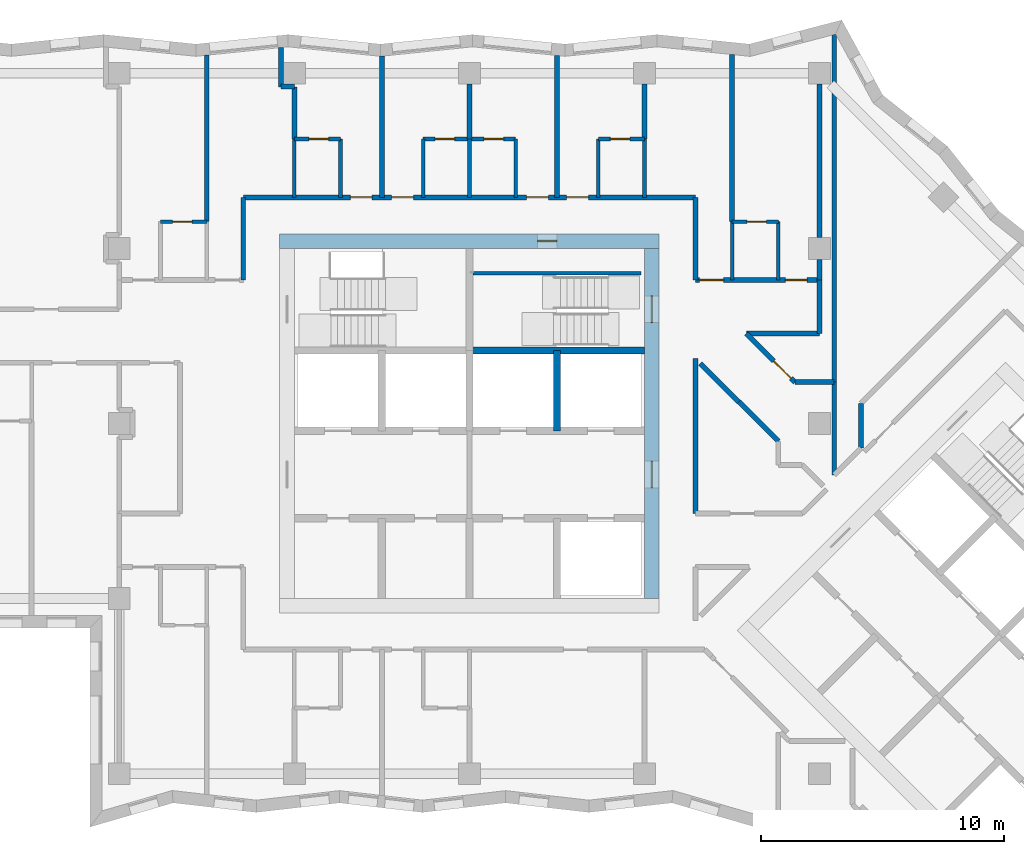
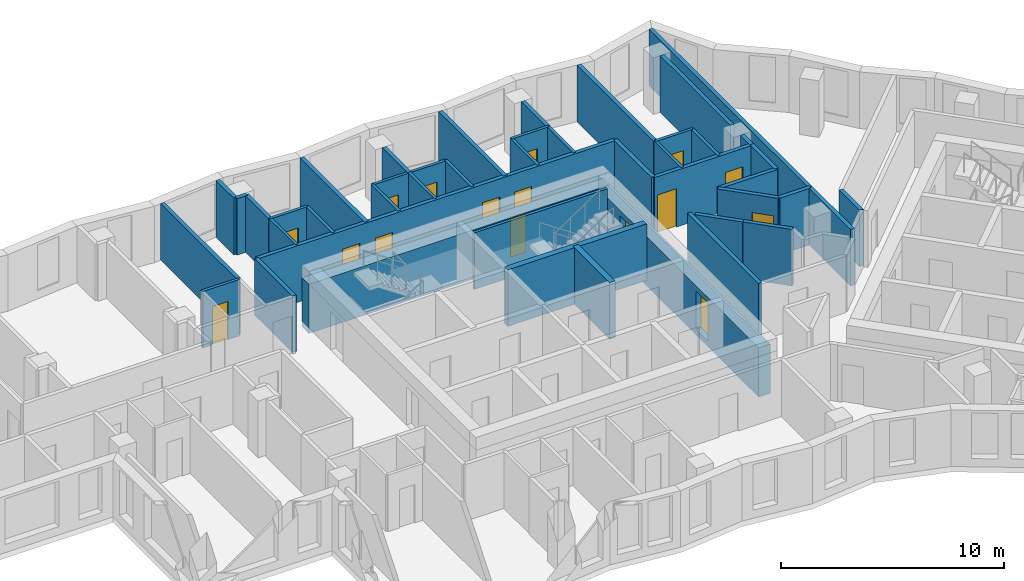
# One storey, part 6 of 12: 44 walls, 16 doors, 16 openings.
"""IFC4 building model written with IfcOpenShell, lengths in metres."""

import ifcopenshell
import ifcopenshell.guid

model = None  # the IFC model being written
_history = None  # IfcOwnerHistory: only IFC2X3 demands one
_inside = {}  # id of a spatial element -> (the spatial element, [elements in it])
_under = {}  # id of a project, library or spatial element -> (it, [spatial elements below it])
_declared = {}  # id of a project -> (the project, [libraries it declares])
_typed = {}  # id of a type object -> (the type object, [elements of that type])
_made_of = {}  # id of a material, layer set ... -> (it, [elements and type objects made of it])


def new_model(schema):
    """Start an empty IFC model of exactly this schema.

    Asked for "IFC4X3", IfcOpenShell would pick the latest addendum, in which some entities
    have other attributes; the version numbers below select the first issue.
    IFC2X3 requires an IfcOwnerHistory on every rooted entity: one is made here for all.
    """
    global model, _history
    if schema == "IFC4X3":
        model = ifcopenshell.file(schema_version=(4, 3, 0, 0))
    else:
        model = ifcopenshell.file(schema=schema)
    _inside.clear()
    _under.clear()
    _declared.clear()
    _typed.clear()
    _made_of.clear()
    _history = None
    if model.schema == "IFC2X3":
        org = make("IfcOrganization", Name="unknown")
        user = make(
            "IfcPersonAndOrganization",
            ThePerson=make("IfcPerson", FamilyName="unknown"),
            TheOrganization=org,
        )
        app = make(
            "IfcApplication",
            ApplicationDeveloper=org,
            Version="unknown",
            ApplicationFullName="unknown",
            ApplicationIdentifier="unknown",
        )
        _history = make(
            "IfcOwnerHistory",
            OwningUser=user,
            OwningApplication=app,
            ChangeAction="ADDED",
            CreationDate=0,
        )
    return model


def make(cls, **values):
    """One entity of the class cls with the attributes given. An attribute that is None is left unset."""
    return model.create_entity(
        cls, **{name: value for name, value in values.items() if value is not None}
    )


def rooted(cls, **values):
    """An entity with a GlobalId (a new one), such as an element, a storey or a relation."""
    return make(cls, GlobalId=ifcopenshell.guid.new(), OwnerHistory=_history, **values)


def si_unit(unit_type, name, prefix=None):
    """IfcSIUnit, for example si_unit("LENGTHUNIT", "METRE", prefix="MILLI")."""
    return make("IfcSIUnit", UnitType=unit_type, Prefix=prefix, Name=name)


def assignment(units):
    """IfcUnitAssignment: the units of a project."""
    return None if units is None else make("IfcUnitAssignment", Units=units)


def point(xyz):
    """IfcCartesianPoint."""
    return None if xyz is None else make("IfcCartesianPoint", Coordinates=xyz)


def direction(xyz):
    """IfcDirection."""
    return None if xyz is None else make("IfcDirection", DirectionRatios=xyz)


def frame(location, z_axis=None, x_axis=None):
    """IfcAxis2Placement3D, a coordinate frame: its origin and axes. An axis left out is left unset."""
    return make(
        "IfcAxis2Placement3D",
        Location=point(location),
        Axis=direction(z_axis),
        RefDirection=direction(x_axis),
    )


def frame_2d(location, x_axis=None):
    """IfcAxis2Placement2D, a coordinate frame in the plane: its origin and x axis."""
    return make(
        "IfcAxis2Placement2D", Location=point(location), RefDirection=direction(x_axis)
    )


def origin():
    """The frame at (0, 0, 0) with its axes left unset."""
    return frame((0.0, 0.0, 0.0))


def place(relative_to, where):
    """IfcLocalPlacement: puts the frame where relative to a parent placement (None: the world)."""
    return make(
        "IfcLocalPlacement", PlacementRelTo=relative_to, RelativePlacement=where
    )


def context(
    kind, dimensions, precision=None, world=None, true_north=None, identifier=None
):
    """IfcGeometricRepresentationContext, for example the 3D "Model" context."""
    return make(
        "IfcGeometricRepresentationContext",
        ContextIdentifier=identifier,
        ContextType=kind,
        CoordinateSpaceDimension=dimensions,
        Precision=precision,
        WorldCoordinateSystem=world,
        TrueNorth=true_north,
    )


def subcontext(parent, identifier, kind, view, scale=None):
    """IfcGeometricRepresentationSubContext, for example "Body" below "Model"."""
    return make(
        "IfcGeometricRepresentationSubContext",
        ContextIdentifier=identifier,
        ContextType=kind,
        ParentContext=parent,
        TargetScale=scale,
        TargetView=view,
    )


def project(units=None, contexts=None):
    """IfcProject with its units and contexts."""
    return rooted(
        "IfcProject",
        Name="project",
        RepresentationContexts=contexts,
        UnitsInContext=assignment(units),
    )


def spatial(cls, under=None, at=None, **own):
    """A site, building, storey or space (cls), placed at a placement, below another one or the project."""
    s = rooted(cls, ObjectPlacement=at, **own)
    if under is not None:
        _under.setdefault(under.id(), (under, []))[1].append(s)
    return s


def profile(cls, at=None, kind="AREA", **sizes):
    """A parametric profile (cls). Its sizes go by their IFC names, for example OverallWidth=200.0."""
    return make(cls, ProfileType=kind, Position=at, **sizes)


def rectangle(**sizes):
    """IfcRectangleProfileDef."""
    return profile("IfcRectangleProfileDef", **sizes)


def extrude(swept, where, along, depth):
    """IfcExtrudedAreaSolid: the profile swept, set in the frame where, extruded along a direction by depth."""
    return make(
        "IfcExtrudedAreaSolid",
        SweptArea=swept,
        Position=where,
        ExtrudedDirection=direction(along),
        Depth=depth,
    )


def shape(context_of_items, identifier, shape_type, items):
    """IfcShapeRepresentation: the items that make up one representation, for example the "Body"."""
    return make(
        "IfcShapeRepresentation",
        ContextOfItems=context_of_items,
        RepresentationIdentifier=identifier,
        RepresentationType=shape_type,
        Items=items,
    )


def material(Name=None, Category=None):
    """IfcMaterial."""
    return make("IfcMaterial", Name=Name, Category=Category)


def layer(
    of_material, thickness, ventilated=None, Name=None, Category=None, Priority=None
):
    """IfcMaterialLayer: one layer of a wall or slab, of a material (None: an air gap)."""
    return make(
        "IfcMaterialLayer",
        Material=of_material,
        LayerThickness=thickness,
        IsVentilated=ventilated,
        Name=Name,
        Category=Category,
        Priority=Priority,
    )


def layer_set(layers, Name=None):
    """IfcMaterialLayerSet."""
    return make("IfcMaterialLayerSet", MaterialLayers=layers, LayerSetName=Name)


def made_of(thing, what):
    """Note that an element or type object is made of a material, layer set ...; save() writes the relation."""
    if what is not None:
        _made_of.setdefault(what.id(), (what, []))[1].append(thing)
    return thing


def type_object(cls, material=None, **own):
    """A type object (cls), such as IfcWallType, which elements share."""
    return made_of(rooted(cls, **own), material)


def element(
    cls,
    number,
    at=None,
    inside=None,
    cuts=None,
    type_object=None,
    material=None,
    context=None,
    identifier="Body",
    shape_type=None,
    held_by="IfcProductDefinitionShape",
    body=None,
    shapes=None,
    **own,
):
    """One element of the class cls, such as IfcWall. Its Tag is "e" and its number.

    at: its placement. inside: the storey or other place that contains it. cuts: it is an
    opening in that element (IfcRelVoidsElement). A single representation is given by context,
    identifier, shape_type and body (its items); several are given by shapes. held_by: the class
    of the entity that holds the representations. save() writes the other relations.
    """
    e = rooted(cls, Tag="e%d" % number, ObjectPlacement=at, **own)
    if body is not None:
        shapes = [shape(context, identifier, shape_type, body)]
    if shapes is not None:
        e.Representation = make(held_by, Representations=shapes)
    if inside is not None:
        _inside.setdefault(inside.id(), (inside, []))[1].append(e)
    if cuts is not None:
        rooted(
            "IfcRelVoidsElement", RelatingBuildingElement=cuts, RelatedOpeningElement=e
        )
    if type_object is not None:
        _typed.setdefault(type_object.id(), (type_object, []))[1].append(e)
    return made_of(e, material)


def fill(opening, filler):
    """IfcRelFillsElement: the door or window that sits in an opening."""
    return rooted(
        "IfcRelFillsElement",
        RelatingOpeningElement=opening,
        RelatedBuildingElement=filler,
    )


def aggregate(whole, parts):
    """IfcRelAggregates: a whole, such as a stair, and the parts it consists of."""
    return rooted("IfcRelAggregates", RelatingObject=whole, RelatedObjects=parts)


def save(model, path):
    """Write the relations noted so far, then the file.

    IfcRelAggregates (storeys below a building ...), IfcRelContainedInSpatialStructure (elements
    in a storey), IfcRelDefinesByType, IfcRelAssociatesMaterial and IfcRelDeclares: one each for
    every whole, place, type object, material and project.
    """
    for whole, parts in _under.values():
        aggregate(whole, parts)
    for where, things in _inside.values():
        rooted(
            "IfcRelContainedInSpatialStructure",
            RelatedElements=things,
            RelatingStructure=where,
        )
    for kind, things in _typed.values():
        rooted("IfcRelDefinesByType", RelatedObjects=things, RelatingType=kind)
    for what, things in _made_of.values():
        rooted("IfcRelAssociatesMaterial", RelatedObjects=things, RelatingMaterial=what)
    for by, libraries in _declared.values():
        rooted("IfcRelDeclares", RelatingContext=by, RelatedDefinitions=libraries)
    model.write(path)


model = new_model("IFC4")

# Units and contexts
model_context = context("Model", 3, precision=1e-05, world=origin(), true_north=direction((0.0, 1.0)))
body_context = subcontext(model_context, "Body", "Model", "MODEL_VIEW")
ifc_project = project(units=[si_unit("LENGTHUNIT", "METRE"), si_unit("AREAUNIT", "SQUARE_METRE"), si_unit("VOLUMEUNIT", "CUBIC_METRE"), si_unit("PLANEANGLEUNIT", "RADIAN"), si_unit("MASSUNIT", "GRAM", prefix="KILO")], contexts=[model_context])

# Site, building, storey
site_placement = place(None, origin())
site = spatial("IfcSite", under=ifc_project, at=site_placement, CompositionType="ELEMENT")
building_placement = place(site_placement, origin())
building = spatial("IfcBuilding", under=site, at=building_placement, Name="Windrow Commons", CompositionType="ELEMENT")
storey_placement = place(building_placement, frame((0.0, 0.0, 145.6)))
storey = spatial("IfcBuildingStorey", under=building, at=storey_placement, Name="L39", CompositionType="ELEMENT", Elevation=145.6)

# Wall, openings, doors
ifc_material_1 = material(Name="Blockwork partition", Category="masonry")
ifc_layer_1 = layer(ifc_material_1, 0.2)
ifc_layer_set_1 = layer_set([ifc_layer_1], Name="IW-CORRIDOR-200")
wall_type_1 = type_object("IfcWallType", Name="IW-CORRIDOR-200", PredefinedType="PARTITIONING", material=ifc_layer_set_1)
wall_1_placement = place(storey_placement, frame((55.5, 66.9, 0.0), z_axis=(0.0, 0.0, 1.0), x_axis=(1.0, 0.0, 0.0)))
wall_1 = element("IfcWall", 1, at=wall_1_placement, inside=storey, type_object=wall_type_1, Name="W-L39-W002", PredefinedType="PARTITIONING", context=body_context, shape_type="SweptSolid", body=[
    extrude(rectangle(XDim=18.6, YDim=0.2, at=frame_2d((9.3, 0.0))), origin(), (0.0, 0.0, 1.0), 3.1),
])
opening_1_placement = place(wall_1_placement, frame((4.4, 0.0, 0.0)))
opening_1 = element("IfcOpeningElement", 2, at=opening_1_placement, cuts=wall_1, Name="Opening D109S", PredefinedType="OPENING", context=body_context, shape_type="SweptSolid", body=[
    extrude(rectangle(XDim=0.9, YDim=2.1, at=frame_2d((0.45, 1.05))), frame((0.0, 0.11, 0.0), z_axis=(0.0, -1.0, 0.0), x_axis=(1.0, 0.0, 0.0)), (0.0, 0.0, 1.0), 0.22),
])
opening_2_placement = place(wall_1_placement, frame((6.1, 0.0, 0.0)))
opening_2 = element("IfcOpeningElement", 3, at=opening_2_placement, cuts=wall_1, Name="Opening D109S", PredefinedType="OPENING", context=body_context, shape_type="SweptSolid", body=[
    extrude(rectangle(XDim=0.9, YDim=2.1, at=frame_2d((0.45, 1.05))), frame((0.0, 0.11, 0.0), z_axis=(0.0, -1.0, 0.0), x_axis=(1.0, 0.0, 0.0)), (0.0, 0.0, 1.0), 0.22),
])
opening_3_placement = place(wall_1_placement, frame((11.65, 0.0, 0.0)))
opening_3 = element("IfcOpeningElement", 4, at=opening_3_placement, cuts=wall_1, Name="Opening D109S", PredefinedType="OPENING", context=body_context, shape_type="SweptSolid", body=[
    extrude(rectangle(XDim=0.9, YDim=2.1, at=frame_2d((0.45, 1.05))), frame((0.0, 0.11, 0.0), z_axis=(0.0, -1.0, 0.0), x_axis=(1.0, 0.0, 0.0)), (0.0, 0.0, 1.0), 0.22),
])
opening_4_placement = place(wall_1_placement, frame((13.3, 0.0, 0.0)))
opening_4 = element("IfcOpeningElement", 5, at=opening_4_placement, cuts=wall_1, Name="Opening D109S", PredefinedType="OPENING", context=body_context, shape_type="SweptSolid", body=[
    extrude(rectangle(XDim=0.9, YDim=2.1, at=frame_2d((0.45, 1.05))), frame((0.0, 0.11, 0.0), z_axis=(0.0, -1.0, 0.0), x_axis=(1.0, 0.0, 0.0)), (0.0, 0.0, 1.0), 0.22),
])
ifc_material_2 = material(Name="Timber door leaf", Category="wood")
door_type_1 = type_object("IfcDoorType", Name="DT-BEDROOM-900", OperationType="SINGLE_SWING_LEFT", PredefinedType="DOOR", material=ifc_material_2)
door_1_placement = place(opening_1_placement, origin())
door_1 = element("IfcDoor", 6, at=door_1_placement, inside=storey, type_object=door_type_1, Name="D-L39-D008", OperationType="SINGLE_SWING_RIGHT", OverallHeight=2.1, OverallWidth=0.9, PredefinedType="DOOR", context=body_context, shape_type="SweptSolid", body=[
    extrude(rectangle(XDim=0.9, YDim=2.1, at=frame_2d((0.45, 1.05))), frame((0.0, 0.025, 0.0), z_axis=(0.0, -1.0, 0.0), x_axis=(1.0, 0.0, 0.0)), (0.0, 0.0, 1.0), 0.05),
])
fill(opening_1, door_1)
door_2_placement = place(opening_2_placement, origin())
door_2 = element("IfcDoor", 7, at=door_2_placement, inside=storey, type_object=door_type_1, Name="D-L39-D010", OperationType="SINGLE_SWING_LEFT", OverallHeight=2.1, OverallWidth=0.9, PredefinedType="DOOR", context=body_context, shape_type="SweptSolid", body=[
    extrude(rectangle(XDim=0.9, YDim=2.1, at=frame_2d((0.45, 1.05))), frame((0.0, 0.025, 0.0), z_axis=(0.0, -1.0, 0.0), x_axis=(1.0, 0.0, 0.0)), (0.0, 0.0, 1.0), 0.05),
])
fill(opening_2, door_2)
door_3_placement = place(opening_3_placement, origin())
door_3 = element("IfcDoor", 8, at=door_3_placement, inside=storey, type_object=door_type_1, Name="D-L39-D012", OperationType="SINGLE_SWING_RIGHT", OverallHeight=2.1, OverallWidth=0.9, PredefinedType="DOOR", context=body_context, shape_type="SweptSolid", body=[
    extrude(rectangle(XDim=0.9, YDim=2.1, at=frame_2d((0.45, 1.05))), frame((0.0, 0.025, 0.0), z_axis=(0.0, -1.0, 0.0), x_axis=(1.0, 0.0, 0.0)), (0.0, 0.0, 1.0), 0.05),
])
fill(opening_3, door_3)
door_4_placement = place(opening_4_placement, origin())
door_4 = element("IfcDoor", 9, at=door_4_placement, inside=storey, type_object=door_type_1, Name="D-L39-D014", OperationType="SINGLE_SWING_LEFT", OverallHeight=2.1, OverallWidth=0.9, PredefinedType="DOOR", context=body_context, shape_type="SweptSolid", body=[
    extrude(rectangle(XDim=0.9, YDim=2.1, at=frame_2d((0.45, 1.05))), frame((0.0, 0.025, 0.0), z_axis=(0.0, -1.0, 0.0), x_axis=(1.0, 0.0, 0.0)), (0.0, 0.0, 1.0), 0.05),
])
fill(opening_4, door_4)

# Wall
wall_2_placement = place(storey_placement, frame((74.1, 53.902, 0.0), z_axis=(0.0, 0.0, 1.0), x_axis=(0.0, 1.0, 0.0)))
element("IfcWall", 10, at=wall_2_placement, inside=storey, type_object=wall_type_1, Name="W-L39-W019", PredefinedType="PARTITIONING", context=body_context, shape_type="SweptSolid", body=[
    extrude(rectangle(XDim=6.366, YDim=0.2, at=frame_2d((3.183, 0.0))), origin(), (0.0, 0.0, 1.0), 3.1),
])

# Wall, openings, doors
wall_3_placement = place(storey_placement, frame((74.102, 63.5, 0.0), z_axis=(0.0, 0.0, 1.0), x_axis=(1.0, 0.0, 0.0)))
wall_3 = element("IfcWall", 11, at=wall_3_placement, inside=storey, type_object=wall_type_1, Name="W-L39-W039", PredefinedType="PARTITIONING", context=body_context, shape_type="SweptSolid", body=[
    extrude(rectangle(XDim=5.098, YDim=0.2, at=frame_2d((2.549, 0.0))), origin(), (0.0, 0.0, 1.0), 3.1),
])
opening_5_placement = place(wall_3_placement, frame((0.1491, 0.0, 0.0)))
opening_5 = element("IfcOpeningElement", 12, at=opening_5_placement, cuts=wall_3, Name="Opening D310F", PredefinedType="OPENING", context=body_context, shape_type="SweptSolid", body=[
    extrude(rectangle(XDim=1.0, YDim=2.1, at=frame_2d((0.5, 1.05))), frame((0.0, 0.11, 0.0), z_axis=(0.0, -1.0, 0.0), x_axis=(1.0, 0.0, 0.0)), (0.0, 0.0, 1.0), 0.22),
])
opening_6_placement = place(wall_3_placement, frame((3.688, 0.0, 0.0)))
opening_6 = element("IfcOpeningElement", 13, at=opening_6_placement, cuts=wall_3, Name="Opening D109S", PredefinedType="OPENING", context=body_context, shape_type="SweptSolid", body=[
    extrude(rectangle(XDim=0.9, YDim=2.1, at=frame_2d((0.45, 1.05))), frame((0.0, 0.11, 0.0), z_axis=(0.0, -1.0, 0.0), x_axis=(1.0, 0.0, 0.0)), (0.0, 0.0, 1.0), 0.22),
])
ifc_material_3 = material(Name="Timber door leaf", Category="wood")
door_type_2 = type_object("IfcDoorType", Name="DT-AMENITY-1000", OperationType="SINGLE_SWING_LEFT", PredefinedType="DOOR", material=ifc_material_3)
door_5_placement = place(opening_5_placement, origin())
door_5 = element("IfcDoor", 14, at=door_5_placement, inside=storey, type_object=door_type_2, Name="D-L39-D026", OperationType="SINGLE_SWING_RIGHT", OverallHeight=2.1, OverallWidth=1.0, PredefinedType="DOOR", context=body_context, shape_type="SweptSolid", body=[
    extrude(rectangle(XDim=1.0, YDim=2.1, at=frame_2d((0.5, 1.05))), frame((0.0, 0.025, 0.0), z_axis=(0.0, -1.0, 0.0), x_axis=(1.0, 0.0, 0.0)), (0.0, 0.0, 1.0), 0.05),
])
fill(opening_5, door_5)
door_6_placement = place(opening_6_placement, origin())
door_6 = element("IfcDoor", 15, at=door_6_placement, inside=storey, type_object=door_type_1, Name="D-L39-D027", OperationType="SINGLE_SWING_LEFT", OverallHeight=2.1, OverallWidth=0.9, PredefinedType="DOOR", context=body_context, shape_type="SweptSolid", body=[
    extrude(rectangle(XDim=0.9, YDim=2.1, at=frame_2d((0.45, 1.05))), frame((0.0, 0.025, 0.0), z_axis=(0.0, -1.0, 0.0), x_axis=(1.0, 0.0, 0.0)), (0.0, 0.0, 1.0), 0.05),
])
fill(opening_6, door_6)

# Walls
wall_4_placement = place(storey_placement, frame((79.8, 55.49, 0.0), z_axis=(0.0, 0.0, 1.0), x_axis=(0.0, 1.0, 0.0)))
element("IfcWall", 16, at=wall_4_placement, inside=storey, type_object=wall_type_1, Name="W-L39-W045", PredefinedType="PARTITIONING", context=body_context, shape_type="SweptSolid", body=[
    extrude(rectangle(XDim=3.81, YDim=0.2, at=frame_2d((1.905, 0.0))), origin(), (0.0, 0.0, 1.0), 3.1),
])
for number, where, z_axis, x_axis, name in (
    (17, (55.5, 63.502, 0.0), (0.0, 0.0, 1.0), (0.0, 1.0, 0.0), "W-L39-W050"),
    (18, (74.1, 63.502, 0.0), (0.0, 0.0, 1.0), (0.0, 1.0, 0.0), "W-L39-W051"),
):
    element("IfcWall", number, at=place(storey_placement, frame(where, z_axis=z_axis, x_axis=x_axis)), inside=storey, type_object=wall_type_1, Name=name, PredefinedType="PARTITIONING", context=body_context, shape_type="SweptSolid", body=[
        extrude(rectangle(XDim=3.398, YDim=0.2, at=frame_2d((1.699, 0.0))), origin(), (0.0, 0.0, 1.0), 3.1),
    ])
wall_5_placement = place(storey_placement, frame((76.184, 61.3, 0.0), z_axis=(0.0, 0.0, 1.0), x_axis=(1.0, 0.0, 0.0)))
element("IfcWall", 19, at=wall_5_placement, inside=storey, type_object=wall_type_1, Name="W-L39-W056", PredefinedType="PARTITIONING", context=body_context, shape_type="SweptSolid", body=[
    extrude(rectangle(XDim=3.016, YDim=0.2, at=frame_2d((1.508, 0.0))), origin(), (0.0, 0.0, 1.0), 3.1),
])

# Wall, opening, door
wall_6_placement = place(storey_placement, frame((76.1809, 61.2949, 0.0), z_axis=(0.0, 0.0, 1.0), x_axis=(0.7071067812, -0.7071067812, 0.0)))
wall_6 = element("IfcWall", 20, at=wall_6_placement, inside=storey, type_object=wall_type_1, Name="W-L39-W059", PredefinedType="PARTITIONING", context=body_context, shape_type="SweptSolid", body=[
    extrude(rectangle(XDim=2.8256, YDim=0.2, at=frame_2d((1.4128, 0.0))), origin(), (0.0, 0.0, 1.0), 3.1),
])
opening_7_placement = place(wall_6_placement, frame((1.6002, 0.0, 0.0)))
opening_7 = element("IfcOpeningElement", 21, at=opening_7_placement, cuts=wall_6, Name="Opening D410F", PredefinedType="OPENING", context=body_context, shape_type="SweptSolid", body=[
    extrude(rectangle(XDim=1.0, YDim=2.1, at=frame_2d((0.5, 1.05))), frame((0.0, 0.11, 0.0), z_axis=(0.0, -1.0, 0.0), x_axis=(1.0, 0.0, 0.0)), (0.0, 0.0, 1.0), 0.22),
])
ifc_material_4 = material(Name="Timber door leaf", Category="wood")
door_type_3 = type_object("IfcDoorType", Name="DT-SERVICE-1000", OperationType="SINGLE_SWING_LEFT", PredefinedType="DOOR", material=ifc_material_4)
door_7_placement = place(opening_7_placement, origin())
door_7 = element("IfcDoor", 22, at=door_7_placement, inside=storey, type_object=door_type_3, Name="D-L39-D039", OperationType="SINGLE_SWING_LEFT", OverallHeight=2.1, OverallWidth=1.0, PredefinedType="DOOR", context=body_context, shape_type="SweptSolid", body=[
    extrude(rectangle(XDim=1.0, YDim=2.1, at=frame_2d((0.5, 1.05))), frame((0.0, 0.025, 0.0), z_axis=(0.0, -1.0, 0.0), x_axis=(1.0, 0.0, 0.0)), (0.0, 0.0, 1.0), 0.05),
])
fill(opening_7, door_7)

# Walls
wall_7_placement = place(storey_placement, frame((75.8786, 58.4966, 0.0), z_axis=(0.0, 0.0, 1.0), x_axis=(0.7075423257, -0.7066709682, 0.0)))
element("IfcWall", 23, at=wall_7_placement, inside=storey, type_object=wall_type_1, Name="W-L39-W098", PredefinedType="PARTITIONING", context=body_context, shape_type="SweptSolid", body=[
    extrude(rectangle(XDim=2.2953, YDim=0.2, at=frame_2d((1.1477, 0.0))), origin(), (0.0, 0.0, 1.0), 3.1),
])
wall_8_placement = place(storey_placement, frame((74.2972, 60.0672, 0.0), z_axis=(0.0, 0.0, 1.0), x_axis=(0.7071067812, -0.7071067812, 0.0)))
element("IfcWall", 24, at=wall_8_placement, inside=storey, type_object=wall_type_1, Name="W-L39-W105", PredefinedType="PARTITIONING", context=body_context, shape_type="SweptSolid", body=[
    extrude(rectangle(XDim=2.2288, YDim=0.2, at=frame_2d((1.1144, 0.0))), origin(), (0.0, 0.0, 1.0), 3.1),
])
wall_9_placement = place(storey_placement, frame((79.2, 61.302, 0.0), z_axis=(0.0, 0.0, 1.0), x_axis=(0.0, 1.0, 0.0)))
element("IfcWall", 25, at=wall_9_placement, inside=storey, type_object=wall_type_1, Name="W-L39-W110", PredefinedType="PARTITIONING", context=body_context, shape_type="SweptSolid", body=[
    extrude(rectangle(XDim=2.198, YDim=0.2, at=frame_2d((1.099, 0.0))), origin(), (0.0, 0.0, 1.0), 3.1),
])
wall_10_placement = place(storey_placement, frame((78.182, 59.3, 0.0), z_axis=(0.0, 0.0, 1.0), x_axis=(1.0, 0.0, 0.0)))
element("IfcWall", 26, at=wall_10_placement, inside=storey, type_object=wall_type_1, Name="W-L39-W140", PredefinedType="PARTITIONING", context=body_context, shape_type="SweptSolid", body=[
    extrude(rectangle(XDim=1.618, YDim=0.2, at=frame_2d((0.809, 0.0))), origin(), (0.0, 0.0, 1.0), 3.1),
])

# Wall, openings, doors
ifc_material_5 = material(Name="Blockwork partition", Category="masonry")
ifc_layer_2 = layer(ifc_material_5, 0.15)
ifc_layer_set_2 = layer_set([ifc_layer_2], Name="IW-ENSUITE-150")
wall_type_2 = type_object("IfcWallType", Name="IW-ENSUITE-150", PredefinedType="PARTITIONING", material=ifc_layer_set_2)
wall_11_placement = place(storey_placement, frame((62.9, 69.3, 0.0), z_axis=(0.0, 0.0, 1.0), x_axis=(1.0, 0.0, 0.0)))
wall_11 = element("IfcWall", 27, at=wall_11_placement, inside=storey, type_object=wall_type_2, Name="W-L39-W046", PredefinedType="PARTITIONING", context=body_context, shape_type="SweptSolid", body=[
    extrude(rectangle(XDim=3.8, YDim=0.15, at=frame_2d((1.9, 0.0))), origin(), (0.0, 0.0, 1.0), 3.1),
])
opening_8_placement = place(wall_11_placement, frame((0.4931, 0.0, 0.0)))
opening_8 = element("IfcOpeningElement", 28, at=opening_8_placement, cuts=wall_11, Name="Opening D208N", PredefinedType="OPENING", context=body_context, shape_type="SweptSolid", body=[
    extrude(rectangle(XDim=0.8, YDim=2.1, at=frame_2d((0.4, 1.05))), frame((0.0, 0.085, 0.0), z_axis=(0.0, -1.0, 0.0), x_axis=(1.0, 0.0, 0.0)), (0.0, 0.0, 1.0), 0.17),
])
opening_9_placement = place(wall_11_placement, frame((2.5069, 0.0, 0.0)))
opening_9 = element("IfcOpeningElement", 29, at=opening_9_placement, cuts=wall_11, Name="Opening D208N", PredefinedType="OPENING", context=body_context, shape_type="SweptSolid", body=[
    extrude(rectangle(XDim=0.8, YDim=2.1, at=frame_2d((0.4, 1.05))), frame((0.0, 0.085, 0.0), z_axis=(0.0, -1.0, 0.0), x_axis=(1.0, 0.0, 0.0)), (0.0, 0.0, 1.0), 0.17),
])
ifc_material_6 = material(Name="Timber door leaf", Category="wood")
door_type_4 = type_object("IfcDoorType", Name="DT-ENSUITE-800", OperationType="SINGLE_SWING_LEFT", PredefinedType="DOOR", material=ifc_material_6)
door_8_placement = place(opening_8_placement, origin())
door_8 = element("IfcDoor", 30, at=door_8_placement, inside=storey, type_object=door_type_4, Name="D-L39-D011", OperationType="SINGLE_SWING_RIGHT", OverallHeight=2.1, OverallWidth=0.8, PredefinedType="DOOR", context=body_context, shape_type="SweptSolid", body=[
    extrude(rectangle(XDim=0.8, YDim=2.1, at=frame_2d((0.4, 1.05))), frame((0.0, 0.025, 0.0), z_axis=(0.0, -1.0, 0.0), x_axis=(1.0, 0.0, 0.0)), (0.0, 0.0, 1.0), 0.05),
])
fill(opening_8, door_8)
door_9_placement = place(opening_9_placement, origin())
door_9 = element("IfcDoor", 31, at=door_9_placement, inside=storey, type_object=door_type_4, Name="D-L39-D013", OperationType="SINGLE_SWING_RIGHT", OverallHeight=2.1, OverallWidth=0.8, PredefinedType="DOOR", context=body_context, shape_type="SweptSolid", body=[
    extrude(rectangle(XDim=0.8, YDim=2.1, at=frame_2d((0.4, 1.05))), frame((0.0, 0.025, 0.0), z_axis=(0.0, -1.0, 0.0), x_axis=(1.0, 0.0, 0.0)), (0.0, 0.0, 1.0), 0.05),
])
fill(opening_9, door_9)

# Walls
for number, where, z_axis, x_axis, name in (
    (32, (75.6, 63.5, 0.0), (0.0, 0.0, 1.0), (0.0, 1.0, 0.0), "W-L39-W079"),
    (33, (77.5, 63.5, 0.0), (0.0, 0.0, 1.0), (0.0, 1.0, 0.0), "W-L39-W080"),
    (34, (59.5, 66.9, 0.0), (0.0, 0.0, 1.0), (0.0, 1.0, 0.0), "W-L39-W087"),
    (35, (57.6, 66.9, 0.0), (0.0, 0.0, 1.0), (0.0, 1.0, 0.0), "W-L39-W088"),
    (36, (62.9, 66.9, 0.0), (0.0, 0.0, 1.0), (0.0, 1.0, 0.0), "W-L39-W089"),
    (37, (64.8, 66.9, 0.0), (0.0, 0.0, 1.0), (0.0, 1.0, 0.0), "W-L39-W090"),
    (38, (66.7, 66.9, 0.0), (0.0, 0.0, 1.0), (0.0, 1.0, 0.0), "W-L39-W091"),
    (39, (70.1, 66.9, 0.0), (0.0, 0.0, 1.0), (0.0, 1.0, 0.0), "W-L39-W092"),
    (40, (72.0, 66.9, 0.0), (0.0, 0.0, 1.0), (0.0, 1.0, 0.0), "W-L39-W093"),
):
    element("IfcWall", number, at=place(storey_placement, frame(where, z_axis=z_axis, x_axis=x_axis)), inside=storey, type_object=wall_type_2, Name=name, PredefinedType="PARTITIONING", context=body_context, shape_type="SweptSolid", body=[
        extrude(rectangle(XDim=2.4, YDim=0.15, at=frame_2d((1.2, 0.0))), origin(), (0.0, 0.0, 1.0), 3.1),
    ])

# Wall, opening, door
wall_12_placement = place(storey_placement, frame((75.6, 65.9, 0.0), z_axis=(0.0, 0.0, 1.0), x_axis=(1.0, 0.0, 0.0)))
wall_12 = element("IfcWall", 41, at=wall_12_placement, inside=storey, type_object=wall_type_2, Name="W-L39-W124", PredefinedType="PARTITIONING", context=body_context, shape_type="SweptSolid", body=[
    extrude(rectangle(XDim=1.9, YDim=0.15, at=frame_2d((0.95, 0.0))), origin(), (0.0, 0.0, 1.0), 3.1),
])
opening_10_placement = place(wall_12_placement, frame((0.6069, 0.0, 0.0)))
opening_10 = element("IfcOpeningElement", 42, at=opening_10_placement, cuts=wall_12, Name="Opening D208N", PredefinedType="OPENING", context=body_context, shape_type="SweptSolid", body=[
    extrude(rectangle(XDim=0.8, YDim=2.1, at=frame_2d((0.4, 1.05))), frame((0.0, 0.085, 0.0), z_axis=(0.0, -1.0, 0.0), x_axis=(1.0, 0.0, 0.0)), (0.0, 0.0, 1.0), 0.17),
])
door_10_placement = place(opening_10_placement, origin())
door_10 = element("IfcDoor", 43, at=door_10_placement, inside=storey, type_object=door_type_4, Name="D-L39-D028", OperationType="SINGLE_SWING_RIGHT", OverallHeight=2.1, OverallWidth=0.8, PredefinedType="DOOR", context=body_context, shape_type="SweptSolid", body=[
    extrude(rectangle(XDim=0.8, YDim=2.1, at=frame_2d((0.4, 1.05))), frame((0.0, 0.025, 0.0), z_axis=(0.0, -1.0, 0.0), x_axis=(1.0, 0.0, 0.0)), (0.0, 0.0, 1.0), 0.05),
])
fill(opening_10, door_10)

wall_13_placement = place(storey_placement, frame((70.1, 69.3, 0.0), z_axis=(0.0, 0.0, 1.0), x_axis=(1.0, 0.0, 0.0)))
wall_13 = element("IfcWall", 44, at=wall_13_placement, inside=storey, type_object=wall_type_2, Name="W-L39-W125", PredefinedType="PARTITIONING", context=body_context, shape_type="SweptSolid", body=[
    extrude(rectangle(XDim=1.9, YDim=0.15, at=frame_2d((0.95, 0.0))), origin(), (0.0, 0.0, 1.0), 3.1),
])
opening_11_placement = place(wall_13_placement, frame((0.4931, 0.0, 0.0)))
opening_11 = element("IfcOpeningElement", 45, at=opening_11_placement, cuts=wall_13, Name="Opening D208N", PredefinedType="OPENING", context=body_context, shape_type="SweptSolid", body=[
    extrude(rectangle(XDim=0.8, YDim=2.1, at=frame_2d((0.4, 1.05))), frame((0.0, 0.085, 0.0), z_axis=(0.0, -1.0, 0.0), x_axis=(1.0, 0.0, 0.0)), (0.0, 0.0, 1.0), 0.17),
])
door_11_placement = place(opening_11_placement, origin())
door_11 = element("IfcDoor", 46, at=door_11_placement, inside=storey, type_object=door_type_4, Name="D-L39-D015", OperationType="SINGLE_SWING_RIGHT", OverallHeight=2.1, OverallWidth=0.8, PredefinedType="DOOR", context=body_context, shape_type="SweptSolid", body=[
    extrude(rectangle(XDim=0.8, YDim=2.1, at=frame_2d((0.4, 1.05))), frame((0.0, 0.025, 0.0), z_axis=(0.0, -1.0, 0.0), x_axis=(1.0, 0.0, 0.0)), (0.0, 0.0, 1.0), 0.05),
])
fill(opening_11, door_11)

wall_14_placement = place(storey_placement, frame((52.1, 65.9, 0.0), z_axis=(0.0, 0.0, 1.0), x_axis=(1.0, 0.0, 0.0)))
wall_14 = element("IfcWall", 47, at=wall_14_placement, inside=storey, type_object=wall_type_2, Name="W-L39-W129", PredefinedType="PARTITIONING", context=body_context, shape_type="SweptSolid", body=[
    extrude(rectangle(XDim=1.9, YDim=0.15, at=frame_2d((0.95, 0.0))), origin(), (0.0, 0.0, 1.0), 3.1),
])
opening_12_placement = place(wall_14_placement, frame((0.4931, 0.0, 0.0)))
opening_12 = element("IfcOpeningElement", 48, at=opening_12_placement, cuts=wall_14, Name="Opening D208N", PredefinedType="OPENING", context=body_context, shape_type="SweptSolid", body=[
    extrude(rectangle(XDim=0.8, YDim=2.1, at=frame_2d((0.4, 1.05))), frame((0.0, 0.085, 0.0), z_axis=(0.0, -1.0, 0.0), x_axis=(1.0, 0.0, 0.0)), (0.0, 0.0, 1.0), 0.17),
])
door_12_placement = place(opening_12_placement, origin())
door_12 = element("IfcDoor", 49, at=door_12_placement, inside=storey, type_object=door_type_4, Name="D-L39-D024", OperationType="SINGLE_SWING_RIGHT", OverallHeight=2.1, OverallWidth=0.8, PredefinedType="DOOR", context=body_context, shape_type="SweptSolid", body=[
    extrude(rectangle(XDim=0.8, YDim=2.1, at=frame_2d((0.4, 1.05))), frame((0.0, 0.025, 0.0), z_axis=(0.0, -1.0, 0.0), x_axis=(1.0, 0.0, 0.0)), (0.0, 0.0, 1.0), 0.05),
])
fill(opening_12, door_12)

wall_15_placement = place(storey_placement, frame((57.6, 69.3, 0.0), z_axis=(0.0, 0.0, 1.0), x_axis=(1.0, 0.0, 0.0)))
wall_15 = element("IfcWall", 50, at=wall_15_placement, inside=storey, type_object=wall_type_2, Name="W-L39-W132", PredefinedType="PARTITIONING", context=body_context, shape_type="SweptSolid", body=[
    extrude(rectangle(XDim=1.9, YDim=0.15, at=frame_2d((0.95, 0.0))), origin(), (0.0, 0.0, 1.0), 3.1),
])
opening_13_placement = place(wall_15_placement, frame((0.6069, 0.0, 0.0)))
opening_13 = element("IfcOpeningElement", 51, at=opening_13_placement, cuts=wall_15, Name="Opening D208N", PredefinedType="OPENING", context=body_context, shape_type="SweptSolid", body=[
    extrude(rectangle(XDim=0.8, YDim=2.1, at=frame_2d((0.4, 1.05))), frame((0.0, 0.085, 0.0), z_axis=(0.0, -1.0, 0.0), x_axis=(1.0, 0.0, 0.0)), (0.0, 0.0, 1.0), 0.17),
])
door_13_placement = place(opening_13_placement, origin())
door_13 = element("IfcDoor", 52, at=door_13_placement, inside=storey, type_object=door_type_4, Name="D-L39-D009", OperationType="SINGLE_SWING_RIGHT", OverallHeight=2.1, OverallWidth=0.8, PredefinedType="DOOR", context=body_context, shape_type="SweptSolid", body=[
    extrude(rectangle(XDim=0.8, YDim=2.1, at=frame_2d((0.4, 1.05))), frame((0.0, 0.025, 0.0), z_axis=(0.0, -1.0, 0.0), x_axis=(1.0, 0.0, 0.0)), (0.0, 0.0, 1.0), 0.05),
])
fill(opening_13, door_13)

# Walls
ifc_material_7 = material(Name="Blockwork partition", Category="masonry")
ifc_layer_3 = layer(ifc_material_7, 0.2)
ifc_layer_set_3 = layer_set([ifc_layer_3], Name="IW-PARTY-200")
wall_type_3 = type_object("IfcWallType", Name="IW-PARTY-200", PredefinedType="PARTITIONING", material=ifc_layer_set_3)
wall_16_placement = place(storey_placement, frame((79.8, 59.3, 0.0), z_axis=(0.0, 0.0, 1.0), x_axis=(0.0, 1.0, 0.0)))
element("IfcWall", 53, at=wall_16_placement, inside=storey, type_object=wall_type_3, Name="W-L39-W004", PredefinedType="PARTITIONING", context=body_context, shape_type="SweptSolid", body=[
    extrude(rectangle(XDim=14.2939, YDim=0.2, at=frame_2d((7.147, 0.0))), origin(), (0.0, 0.0, 1.0), 3.1),
])
wall_17_placement = place(storey_placement, frame((75.6, 65.9, 0.0), z_axis=(0.0, 0.0, 1.0), x_axis=(0.0, 1.0, 0.0)))
element("IfcWall", 54, at=wall_17_placement, inside=storey, type_object=wall_type_3, Name="W-L39-W017", PredefinedType="PARTITIONING", context=body_context, shape_type="SweptSolid", body=[
    extrude(rectangle(XDim=6.8709, YDim=0.2, at=frame_2d((3.4354, 0.0))), origin(), (0.0, 0.0, 1.0), 3.1),
])
wall_18_placement = place(storey_placement, frame((54.0, 65.9, 0.0), z_axis=(0.0, 0.0, 1.0), x_axis=(0.0, 1.0, 0.0)))
element("IfcWall", 55, at=wall_18_placement, inside=storey, type_object=wall_type_3, Name="W-L39-W018", PredefinedType="PARTITIONING", context=body_context, shape_type="SweptSolid", body=[
    extrude(rectangle(XDim=6.8435, YDim=0.2, at=frame_2d((3.4217, 0.0))), origin(), (0.0, 0.0, 1.0), 3.1),
])
wall_19_placement = place(storey_placement, frame((79.2, 65.25, 0.0), z_axis=(0.0, 0.0, 1.0), x_axis=(0.0, 1.0, 0.0)))
element("IfcWall", 56, at=wall_19_placement, inside=storey, type_object=wall_type_3, Name="W-L39-W024", PredefinedType="PARTITIONING", context=body_context, shape_type="SweptSolid", body=[
    extrude(rectangle(XDim=6.3, YDim=0.2, at=frame_2d((3.15, 0.0))), origin(), (0.0, 0.0, 1.0), 3.1),
])
wall_20_placement = place(storey_placement, frame((68.4, 66.9, 0.0), z_axis=(0.0, 0.0, 1.0), x_axis=(0.0, 1.0, 0.0)))
element("IfcWall", 57, at=wall_20_placement, inside=storey, type_object=wall_type_3, Name="W-L39-W031", PredefinedType="PARTITIONING", context=body_context, shape_type="SweptSolid", body=[
    extrude(rectangle(XDim=5.831, YDim=0.2, at=frame_2d((2.9155, 0.0))), origin(), (0.0, 0.0, 1.0), 3.1),
])
wall_21_placement = place(storey_placement, frame((61.2, 66.9, 0.0), z_axis=(0.0, 0.0, 1.0), x_axis=(0.0, 1.0, 0.0)))
element("IfcWall", 58, at=wall_21_placement, inside=storey, type_object=wall_type_3, Name="W-L39-W032", PredefinedType="PARTITIONING", context=body_context, shape_type="SweptSolid", body=[
    extrude(rectangle(XDim=5.8036, YDim=0.2, at=frame_2d((2.9018, 0.0))), origin(), (0.0, 0.0, 1.0), 3.1),
])
for number, where, z_axis, x_axis, name in (
    (59, (64.8, 69.3, 0.0), (0.0, 0.0, 1.0), (0.0, 1.0, 0.0), "W-L39-W103"),
    (60, (72.0, 69.3, 0.0), (0.0, 0.0, 1.0), (0.0, 1.0, 0.0), "W-L39-W104"),
):
    element("IfcWall", number, at=place(storey_placement, frame(where, z_axis=z_axis, x_axis=x_axis)), inside=storey, type_object=wall_type_3, Name=name, PredefinedType="PARTITIONING", context=body_context, shape_type="SweptSolid", body=[
        extrude(rectangle(XDim=2.25, YDim=0.2, at=frame_2d((1.125, 0.0))), origin(), (0.0, 0.0, 1.0), 3.1),
    ])
wall_22_placement = place(storey_placement, frame((57.6, 69.3, 0.0), z_axis=(0.0, 0.0, 1.0), x_axis=(0.0, 1.0, 0.0)))
element("IfcWall", 61, at=wall_22_placement, inside=storey, type_object=wall_type_3, Name="W-L39-W114", PredefinedType="PARTITIONING", context=body_context, shape_type="SweptSolid", body=[
    extrude(rectangle(XDim=2.146, YDim=0.2, at=frame_2d((1.073, 0.0))), origin(), (0.0, 0.0, 1.0), 3.1),
])
wall_23_placement = place(storey_placement, frame((80.9, 56.588, 0.0), z_axis=(0.0, 0.0, 1.0), x_axis=(0.0, 1.0, 0.0)))
element("IfcWall", 62, at=wall_23_placement, inside=storey, type_object=wall_type_3, Name="W-L39-W137", PredefinedType="PARTITIONING", context=body_context, shape_type="SweptSolid", body=[
    extrude(rectangle(XDim=1.838, YDim=0.2, at=frame_2d((0.919, 0.0))), origin(), (0.0, 0.0, 1.0), 3.1),
])
wall_24_placement = place(storey_placement, frame((57.05, 71.446, 0.0), z_axis=(0.0, 0.0, 1.0), x_axis=(0.0, 1.0, 0.0)))
element("IfcWall", 63, at=wall_24_placement, inside=storey, type_object=wall_type_3, Name="W-L39-W143", PredefinedType="PARTITIONING", context=body_context, shape_type="SweptSolid", body=[
    extrude(rectangle(XDim=1.6119, YDim=0.2, at=frame_2d((0.806, 0.0))), origin(), (0.0, 0.0, 1.0), 3.1),
])
wall_25_placement = place(storey_placement, frame((79.2, 63.5, 0.0), z_axis=(0.0, 0.0, 1.0), x_axis=(0.0, 1.0, 0.0)))
element("IfcWall", 64, at=wall_25_placement, inside=storey, type_object=wall_type_3, Name="W-L39-W159", PredefinedType="PARTITIONING", context=body_context, shape_type="SweptSolid", body=[
    extrude(rectangle(XDim=0.85, YDim=0.2, at=frame_2d((0.425, 0.0))), origin(), (0.0, 0.0, 1.0), 3.1),
])
wall_26_placement = place(storey_placement, frame((57.05, 71.45, 0.0), z_axis=(0.0, 0.0, 1.0), x_axis=(1.0, 0.0, 0.0)))
element("IfcWall", 65, at=wall_26_placement, inside=storey, type_object=wall_type_3, Name="W-L39-W162", PredefinedType="PARTITIONING", context=body_context, shape_type="SweptSolid", body=[
    extrude(rectangle(XDim=0.55, YDim=0.2, at=frame_2d((0.275, 0.0))), origin(), (0.0, 0.0, 1.0), 3.1),
])

# Wall, opening, door
ifc_material_8 = material(Name="Concrete C50/60", Category="concrete")
ifc_layer_4 = layer(ifc_material_8, 0.6)
ifc_layer_set_4 = layer_set([ifc_layer_4], Name="RC CORE WALL 600 C50/60")
wall_type_4 = type_object("IfcWallType", Name="RC CORE WALL 600 C50/60", PredefinedType="SHEAR", material=ifc_layer_set_4)
wall_27_placement = place(storey_placement, frame((57.0, 65.1, -0.3), z_axis=(0.0, 0.0, 1.0), x_axis=(1.0, 0.0, 0.0)))
wall_27 = element("IfcWall", 66, at=wall_27_placement, inside=storey, type_object=wall_type_4, Name="Core A wall outer-N", PredefinedType="SHEAR", context=body_context, shape_type="SweptSolid", body=[
    extrude(rectangle(XDim=15.6, YDim=0.6, at=frame_2d((7.8, 0.0))), origin(), (0.0, 0.0, 1.0), 2.7),
])
opening_14_placement = place(wall_27_placement, frame((10.6, 0.0, 0.3)))
opening_14 = element("IfcOpeningElement", 67, at=opening_14_placement, cuts=wall_27, Name="Opening D9", PredefinedType="OPENING", context=body_context, shape_type="SweptSolid", body=[
    extrude(rectangle(XDim=0.8, YDim=2.1, at=frame_2d((0.4, 1.05))), frame((0.0, 0.31, 0.0), z_axis=(0.0, -1.0, 0.0), x_axis=(1.0, 0.0, 0.0)), (0.0, 0.0, 1.0), 0.62),
])
ifc_material_9 = material(Name="Steel fire door leaf", Category="steel")
door_type_5 = type_object("IfcDoorType", Name="Riser access door 800", OperationType="SINGLE_SWING_LEFT", PredefinedType="DOOR", material=ifc_material_9)
door_14_placement = place(opening_14_placement, origin())
door_14 = element("IfcDoor", 68, at=door_14_placement, inside=storey, type_object=door_type_5, Name="Riser access door", OperationType="SINGLE_SWING_RIGHT", OverallHeight=2.1, OverallWidth=0.8, PredefinedType="DOOR", context=body_context, shape_type="SweptSolid", body=[
    extrude(rectangle(XDim=0.8, YDim=2.1, at=frame_2d((0.4, 1.05))), frame((0.0, 0.025, 0.0), z_axis=(0.0, -1.0, 0.0), x_axis=(1.0, 0.0, 0.0)), (0.0, 0.0, 1.0), 0.05),
])
fill(opening_14, door_14)

# Wall, openings, doors
wall_28_placement = place(storey_placement, frame((72.3, 50.4, -0.3), z_axis=(0.0, 0.0, 1.0), x_axis=(0.0, 1.0, 0.0)))
wall_28 = element("IfcWall", 69, at=wall_28_placement, inside=storey, type_object=wall_type_4, Name="Core A wall outer-E", PredefinedType="SHEAR", context=body_context, shape_type="SweptSolid", body=[
    extrude(rectangle(XDim=14.4, YDim=0.6, at=frame_2d((7.2, 0.0))), origin(), (0.0, 0.0, 1.0), 2.7),
])
opening_15_placement = place(wall_28_placement, frame((4.55, 0.0, 0.3)))
opening_15 = element("IfcOpeningElement", 70, at=opening_15_placement, cuts=wall_28, Name="Opening D6", PredefinedType="OPENING", context=body_context, shape_type="SweptSolid", body=[
    extrude(rectangle(XDim=1.1, YDim=2.1, at=frame_2d((0.55, 1.05))), frame((0.0, 0.31, 0.0), z_axis=(0.0, -1.0, 0.0), x_axis=(1.0, 0.0, 0.0)), (0.0, 0.0, 1.0), 0.62),
])
opening_16_placement = place(wall_28_placement, frame((11.35, 0.0, 0.3)))
opening_16 = element("IfcOpeningElement", 71, at=opening_16_placement, cuts=wall_28, Name="Opening D7", PredefinedType="OPENING", context=body_context, shape_type="SweptSolid", body=[
    extrude(rectangle(XDim=1.1, YDim=2.1, at=frame_2d((0.55, 1.05))), frame((0.0, 0.31, 0.0), z_axis=(0.0, -1.0, 0.0), x_axis=(1.0, 0.0, 0.0)), (0.0, 0.0, 1.0), 0.62),
])
ifc_material_10 = material(Name="Steel fire door leaf", Category="steel")
door_type_6 = type_object("IfcDoorType", Name="Core lobby door 1100", OperationType="SINGLE_SWING_LEFT", PredefinedType="DOOR", material=ifc_material_10)
door_15_placement = place(opening_15_placement, origin())
door_15 = element("IfcDoor", 72, at=door_15_placement, inside=storey, type_object=door_type_6, Name="Lift lobby door", OperationType="DOUBLE_DOOR_SINGLE_SWING", OverallHeight=2.1, OverallWidth=1.1, PredefinedType="DOOR", context=body_context, shape_type="SweptSolid", body=[
    extrude(rectangle(XDim=1.1, YDim=2.1, at=frame_2d((0.55, 1.05))), frame((0.0, 0.025, 0.0), z_axis=(0.0, -1.0, 0.0), x_axis=(1.0, 0.0, 0.0)), (0.0, 0.0, 1.0), 0.05),
])
fill(opening_15, door_15)
ifc_material_11 = material(Name="Steel fire door leaf", Category="steel")
door_type_7 = type_object("IfcDoorType", Name="Stair door 1100", OperationType="SINGLE_SWING_LEFT", PredefinedType="DOOR", material=ifc_material_11)
door_16_placement = place(opening_16_placement, origin())
door_16 = element("IfcDoor", 73, at=door_16_placement, inside=storey, type_object=door_type_7, Name="Stair door", OperationType="SINGLE_SWING_RIGHT", OverallHeight=2.1, OverallWidth=1.1, PredefinedType="DOOR", context=body_context, shape_type="SweptSolid", body=[
    extrude(rectangle(XDim=1.1, YDim=2.1, at=frame_2d((0.55, 1.05))), frame((0.0, 0.025, 0.0), z_axis=(0.0, -1.0, 0.0), x_axis=(1.0, 0.0, 0.0)), (0.0, 0.0, 1.0), 0.05),
])
fill(opening_16, door_16)

# Walls
ifc_material_12 = material(Name="Concrete C50/60", Category="concrete")
ifc_layer_5 = layer(ifc_material_12, 0.3)
ifc_layer_set_5 = layer_set([ifc_layer_5], Name="RC SHAFT WALL 300 C50/60")
wall_type_5 = type_object("IfcWallType", Name="RC SHAFT WALL 300 C50/60", PredefinedType="SOLIDWALL", material=ifc_layer_set_5)
wall_29_placement = place(storey_placement, frame((68.4, 57.3, 0.0), z_axis=(0.0, 0.0, 1.0), x_axis=(0.0, 1.0, 0.0)))
element("IfcWall", 74, at=wall_29_placement, inside=storey, type_object=wall_type_5, Name="Core A wall shaft-N3", PredefinedType="SOLIDWALL", context=body_context, shape_type="SweptSolid", body=[
    extrude(rectangle(XDim=3.3, YDim=0.3, at=frame_2d((1.65, 0.0))), origin(), (0.0, 0.0, 1.0), 3.1),
])
wall_30_placement = place(storey_placement, frame((64.8, 60.6, 0.0), z_axis=(0.0, 0.0, 1.0), x_axis=(1.0, 0.0, 0.0)))
element("IfcWall", 75, at=wall_30_placement, inside=storey, type_object=wall_type_5, Name="Core A wall stair-S2", PredefinedType="SOLIDWALL", context=body_context, shape_type="SweptSolid", body=[
    extrude(rectangle(XDim=7.2, YDim=0.3, at=frame_2d((3.6, 0.0))), origin(), (0.0, 0.0, 1.0), 3.1),
])
ifc_material_13 = material(Name="Blockwork partition", Category="masonry")
ifc_layer_6 = layer(ifc_material_13, 0.15)
ifc_layer_set_6 = layer_set([ifc_layer_6], Name="Riser partition 150")
wall_type_6 = type_object("IfcWallType", Name="Riser partition 150", PredefinedType="PARTITIONING", material=ifc_layer_set_6)
wall_31_placement = place(storey_placement, frame((64.95, 63.78, 0.0), z_axis=(0.0, 0.0, 1.0), x_axis=(1.0, 0.0, 0.0)))
element("IfcWall", 76, at=wall_31_placement, inside=storey, type_object=wall_type_6, Name="W-core-strip-A-L39", PredefinedType="PARTITIONING", context=body_context, shape_type="SweptSolid", body=[
    extrude(rectangle(XDim=6.9, YDim=0.15, at=frame_2d((3.45, 0.0))), origin(), (0.0, 0.0, 1.0), 3.1),
])

save(model, "model.ifc")
